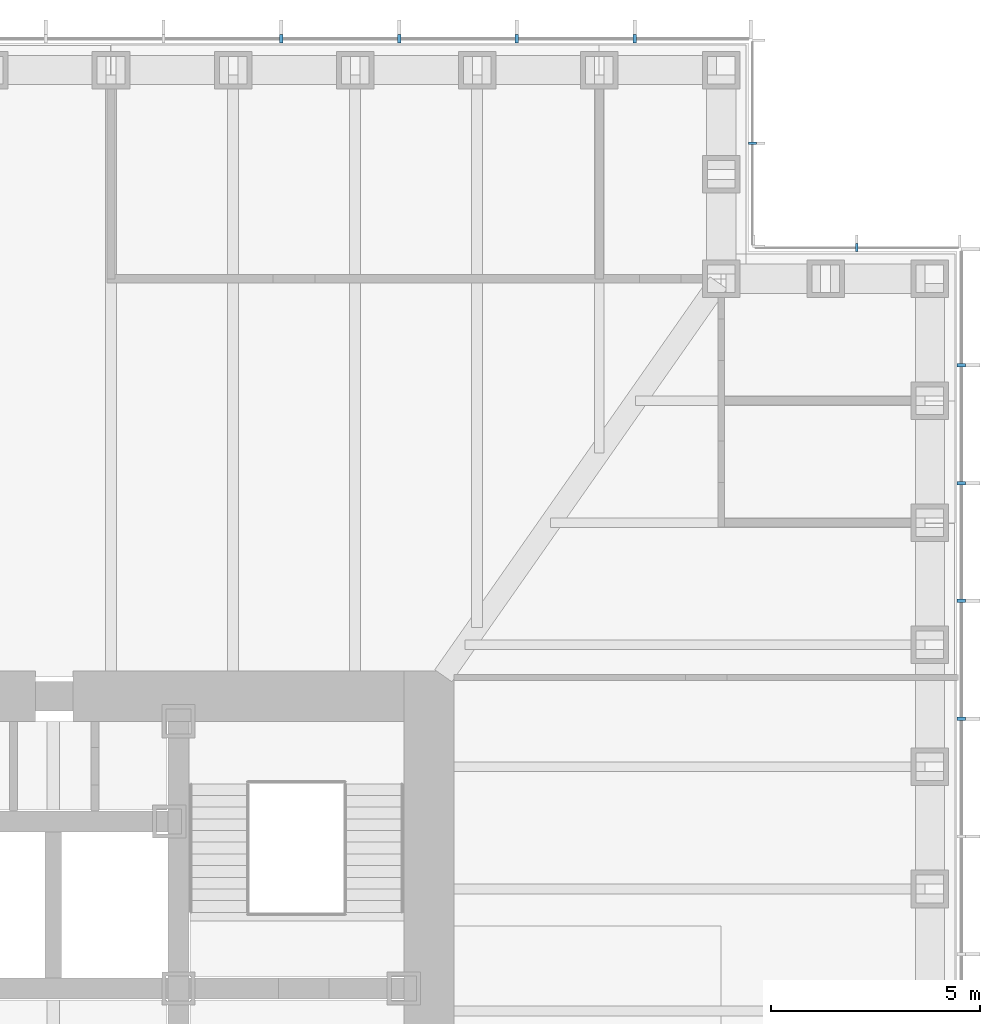
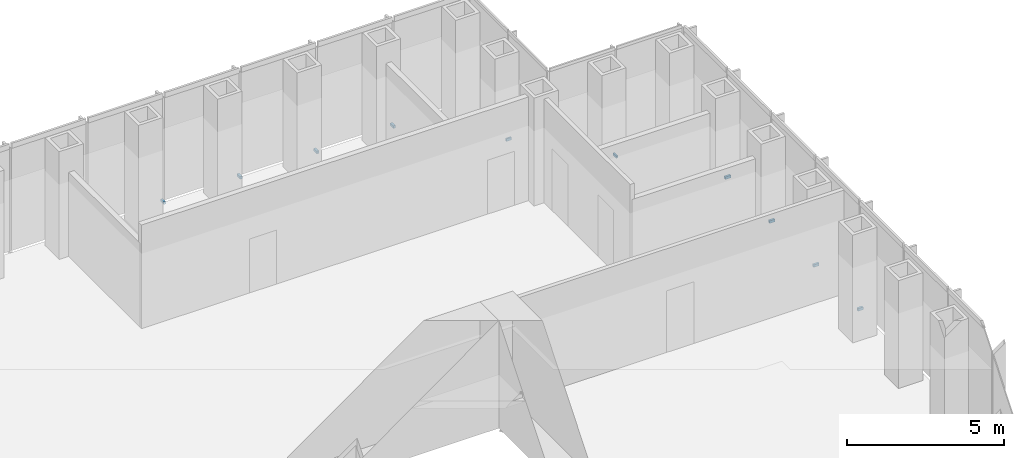
# One storey, part 16 of 17: 10 discrete accessories.
"""IFC4 building model written with IfcOpenShell, lengths in metres."""

from ifc_helpers import new_model, si_unit, direction, frame, origin, origin_2d, place, context, subcontext, project, spatial, rectangle, extrude, element, save


model = new_model("IFC4")

# Units and contexts
model_context = context("Model", 3, precision=1e-05, world=origin(), true_north=direction((0.0, 1.0)))
body_context = subcontext(model_context, "Body", "Model", "MODEL_VIEW")
ifc_project = project(units=[si_unit("LENGTHUNIT", "METRE"), si_unit("AREAUNIT", "SQUARE_METRE"), si_unit("VOLUMEUNIT", "CUBIC_METRE"), si_unit("PLANEANGLEUNIT", "RADIAN"), si_unit("MASSUNIT", "GRAM", prefix="KILO")], contexts=[model_context])

# Site, building, storey
site_placement = place(None, origin())
site = spatial("IfcSite", under=ifc_project, at=site_placement, CompositionType="ELEMENT")
building_placement = place(site_placement, origin())
building = spatial("IfcBuilding", under=site, at=building_placement, Name="Daluyong Arena Tower", CompositionType="ELEMENT")
storey_placement = place(building_placement, frame((0.0, 0.0, 81.10009765625)))
storey = spatial("IfcBuildingStorey", under=building, at=storey_placement, Name="L17", CompositionType="ELEMENT", Elevation=81.10009765625)

# Discrete accessories
for number, where, z_axis, x_axis, name in (
    (1, (80.75, 88.46435546875, -0.10009765625), (0.0, 0.0, 1.0), (0.0, 1.0, 0.0), "curtain wall L17 E anchor bracket 11"),
    (2, (80.75, 91.28564453125, -0.10009765625), (0.0, 0.0, 1.0), (0.0, 1.0, 0.0), "curtain wall L17 E anchor bracket 12"),
    (3, (80.75, 94.107177734375, -0.10009765625), (0.0, 0.0, 1.0), (0.0, 1.0, 0.0), "curtain wall L17 E anchor bracket 13"),
    (4, (80.75, 96.928466796875, -0.10009765625), (0.0, 0.0, 1.0), (0.0, 1.0, 0.0), "curtain wall L17 E anchor bracket 14"),
):
    element("IfcDiscreteAccessory", number, at=place(storey_placement, frame(where, z_axis=z_axis, x_axis=x_axis)), inside=storey, Name=name, PredefinedType="BRACKET", context=body_context, shape_type="SweptSolid", body=[
        extrude(rectangle(XDim=0.080078125, YDim=0.199951171875, at=origin_2d()), origin(), (0.0, 0.0, 1.0), 0.10009765625),
    ])
for number, where, z_axis, x_axis, name in (
    (5, (78.25, 99.75, -0.10009765625), (0.0, 0.0, 1.0), (-1.0, 0.0, 0.0), "curtain wall L17 NE-N anchor bracket 2"),
    (6, (75.75, 102.25, -0.10009765625), (0.0, 0.0, 1.0), (0.0, 1.0, 0.0), "curtain wall L17 NE-E anchor bracket 2"),
):
    element("IfcDiscreteAccessory", number, at=place(storey_placement, frame(where, z_axis=z_axis, x_axis=x_axis)), inside=storey, Name=name, PredefinedType="BRACKET", context=body_context, shape_type="SweptSolid", body=[
        extrude(rectangle(XDim=0.06005859375, YDim=0.199951171875, at=origin_2d()), origin(), (0.0, 0.0, 1.0), 0.10009765625),
    ])
for number, where, z_axis, x_axis, name in (
    (7, (72.928466796875, 104.75, -0.10009765625), (0.0, 0.0, 1.0), (-1.0, 0.0, 0.0), "curtain wall L17 N anchor bracket 2"),
    (8, (70.107177734375, 104.75, -0.10009765625), (0.0, 0.0, 1.0), (-1.0, 0.0, 0.0), "curtain wall L17 N anchor bracket 3"),
    (9, (67.28564453125, 104.75, -0.10009765625), (0.0, 0.0, 1.0), (-1.0, 0.0, 0.0), "curtain wall L17 N anchor bracket 4"),
    (10, (64.46435546875, 104.75, -0.10009765625), (0.0, 0.0, 1.0), (-1.0, 0.0, 0.0), "curtain wall L17 N anchor bracket 5"),
):
    element("IfcDiscreteAccessory", number, at=place(storey_placement, frame(where, z_axis=z_axis, x_axis=x_axis)), inside=storey, Name=name, PredefinedType="BRACKET", context=body_context, shape_type="SweptSolid", body=[
        extrude(rectangle(XDim=0.080078125, YDim=0.199951171875, at=origin_2d()), origin(), (0.0, 0.0, 1.0), 0.10009765625),
    ])

save(model, "model.ifc")
